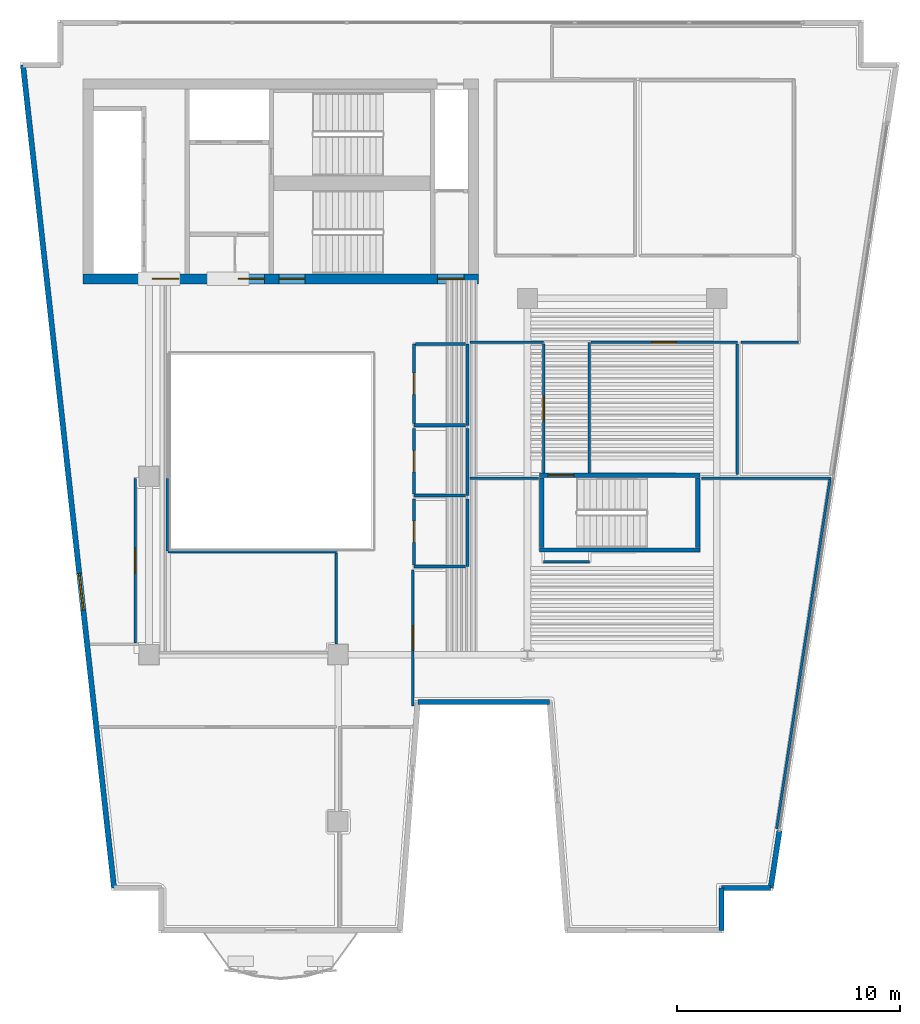
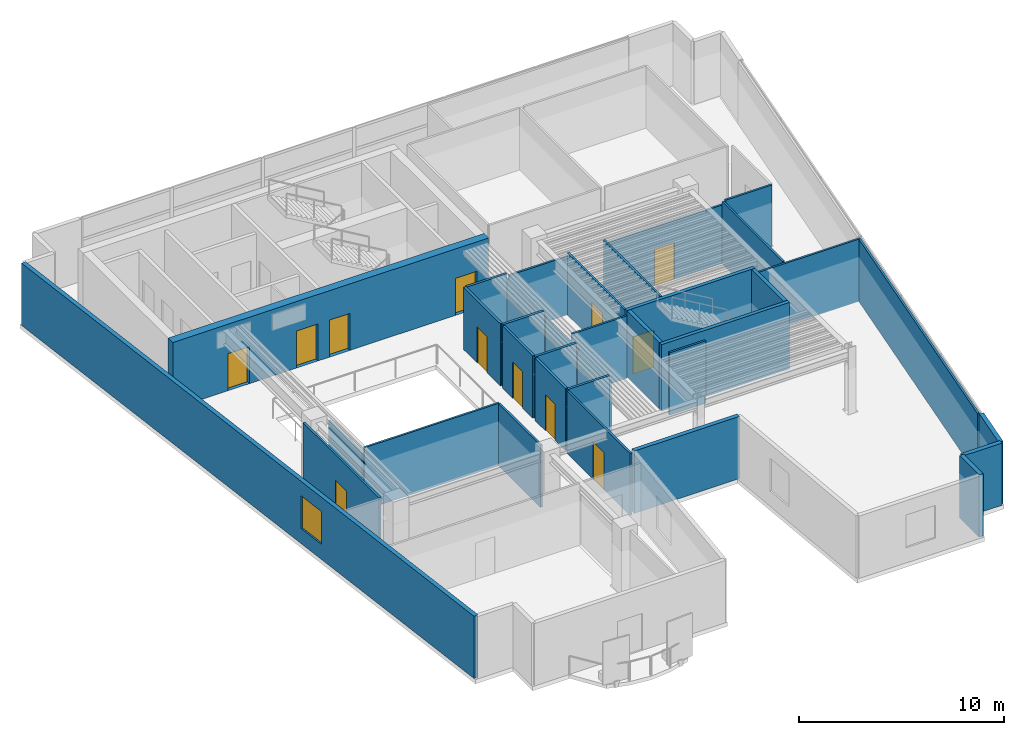
# One storey, part 4 of 8: 35 walls, 12 doors, 1 window, 13 openings.
"""IFC4 building model written with IfcOpenShell, lengths in metres."""

from ifc_helpers import new_model, si_unit, direction, frame, frame_2d, origin, place, context, subcontext, project, spatial, rectangle, extrude, material, layer, layer_set, type_object, element, fill, save


model = new_model("IFC4")

# Units and contexts
model_context = context("Model", 3, precision=1e-05, world=origin(), true_north=direction((0.0, 1.0)))
body_context = subcontext(model_context, "Body", "Model", "MODEL_VIEW")
ifc_project = project(units=[si_unit("LENGTHUNIT", "METRE"), si_unit("AREAUNIT", "SQUARE_METRE"), si_unit("VOLUMEUNIT", "CUBIC_METRE"), si_unit("PLANEANGLEUNIT", "RADIAN"), si_unit("MASSUNIT", "GRAM", prefix="KILO")], contexts=[model_context])

# Site, building, storey
site_placement = place(None, origin())
site = spatial("IfcSite", under=ifc_project, at=site_placement, CompositionType="ELEMENT")
building_placement = place(site_placement, origin())
building = spatial("IfcBuilding", under=site, at=building_placement, Name="Caeloran Harvest Quay", CompositionType="ELEMENT")
storey_placement = place(building_placement, frame((0.0, 0.0, 239.050048828125)))
storey = spatial("IfcBuildingStorey", under=building, at=storey_placement, Name="L57", CompositionType="ELEMENT", Elevation=239.050048828125)

# Wall, opening, window
ifc_material_1 = material(Name="Precast concrete C50/60", Category="concrete")
ifc_layer_1 = layer(ifc_material_1, 0.239990234375, Name="Precast concrete C50/60")
ifc_layer_set_1 = layer_set([ifc_layer_1], Name="Precast concrete C50/60")
wall_type_1 = type_object("IfcWallType", Name="ENV-WALL-EW-240", PredefinedType="STANDARD", material=ifc_layer_set_1)
wall_1_placement = place(storey_placement, frame((6.933349609375, 4.52001953125, 0.0), z_axis=(0.0, 0.0, 1.0), x_axis=(-0.109965284523, 0.993935428587, 0.0)))
wall_1 = element("IfcWall", 1, at=wall_1_placement, inside=storey, type_object=wall_type_1, Name="L57 Exterior Precast Concrete Facade Wall 3", PredefinedType="STANDARD", context=body_context, shape_type="SweptSolid", body=[
    extrude(rectangle(XDim=37.185546875, YDim=0.239990234375, at=frame_2d((18.5927734375, 0.0))), origin(), (0.0, 0.0, 1.0), 3.699951171875),
])
opening_1_placement = place(wall_1_placement, frame((12.56201171875, 0.0, 0.89990234375)))
opening_1 = element("IfcOpeningElement", 2, at=opening_1_placement, cuts=wall_1, Name="Opening W-08", PredefinedType="OPENING", context=body_context, shape_type="SweptSolid", body=[
    extrude(rectangle(XDim=1.64990234375, YDim=1.949951171875, at=frame_2d((0.824951171875, 0.97509765625))), frame((0.0, 0.1298828125, 0.0), z_axis=(0.0, -1.0, 0.0), x_axis=(1.0, 0.0, 0.0)), (0.0, 0.0, 1.0), 0.260009765625),
])
ifc_material_2 = material(Name="Aluminium-Framed Low-E Laminated Glass", Category="aluminium")
window_type = type_object("IfcWindowType", Name="WIN-W-08", PartitioningType="SINGLE_PANEL", PredefinedType="WINDOW", material=ifc_material_2)
window_placement = place(opening_1_placement, origin())
window = element("IfcWindow", 3, at=window_placement, inside=storey, type_object=window_type, Name="L57 Facade Punched Window W-08", OverallHeight=1.949951171875, OverallWidth=1.64990234375, PartitioningType="SINGLE_PANEL", PredefinedType="WINDOW", context=body_context, shape_type="SweptSolid", body=[
    extrude(rectangle(XDim=1.64990234375, YDim=1.949951171875, at=frame_2d((0.824951171875, 0.97509765625))), frame((0.0, 0.030029296875, 0.0), z_axis=(0.0, -1.0, 0.0), x_axis=(1.0, 0.0, 0.0)), (0.0, 0.0, 1.0), 0.06005859375),
])
fill(opening_1, window)

# Walls
wall_2_placement = place(storey_placement, frame((36.81591796875, 7.090087890625, 0.0), z_axis=(0.0, 0.0, 1.0), x_axis=(-0.151090396132, -0.988519950328, 0.0)))
element("IfcWall", 4, at=wall_2_placement, inside=storey, type_object=wall_type_1, Name="L57 Exterior Facade Corner Pier Wall 9B", PredefinedType="STANDARD", context=body_context, shape_type="SweptSolid", body=[
    extrude(rectangle(XDim=2.599853515625, YDim=0.239990234375, at=frame_2d((1.2998046875, 0.0))), origin(), (0.0, 0.0, 1.0), 3.699951171875),
])
wall_3_placement = place(storey_placement, frame((36.423095703125, 4.52001953125, 0.0), z_axis=(0.0, 0.0, 1.0), x_axis=(-1.0, 0.0, 0.0)))
element("IfcWall", 5, at=wall_3_placement, inside=storey, type_object=wall_type_1, Name="L57 Exterior Precast Concrete Facade Wall 10", PredefinedType="STANDARD", context=body_context, shape_type="SweptSolid", body=[
    extrude(rectangle(XDim=2.20703125, YDim=0.239990234375, at=frame_2d((1.103515625, 0.0))), origin(), (0.0, 0.0, 1.0), 3.699951171875),
])
wall_4_placement = place(storey_placement, frame((34.216064453125, 4.52001953125, 0.0), z_axis=(0.0, 0.0, 1.0), x_axis=(0.0, -1.0, 0.0)))
element("IfcWall", 6, at=wall_4_placement, inside=storey, type_object=wall_type_1, Name="L57 Exterior Precast Concrete Facade Wall 11", PredefinedType="STANDARD", context=body_context, shape_type="SweptSolid", body=[
    extrude(rectangle(XDim=1.89990234375, YDim=0.239990234375, at=frame_2d((0.949951171875, 0.0))), origin(), (0.0, 0.0, 1.0), 3.699951171875),
])
wall_5_placement = place(storey_placement, frame((26.4951171875, 12.8701171875, 0.0), z_axis=(0.0, 0.0, 1.0), x_axis=(-1.0, 0.0, 0.0)))
element("IfcWall", 7, at=wall_5_placement, inside=storey, type_object=wall_type_1, Name="L57 Exterior Precast Concrete Facade Wall 14", PredefinedType="STANDARD", context=body_context, shape_type="SweptSolid", body=[
    extrude(rectangle(XDim=5.922119140625, YDim=0.239990234375, at=frame_2d((2.9609375, 0.0))), origin(), (0.0, 0.0, 1.0), 3.699951171875),
])
ifc_material_3 = material(Name="Single-Stud Acoustic Gypsum Office Partition", Category="gypsum")
ifc_layer_2 = layer(ifc_material_3, 0.112060546875, Name="Single-Stud Acoustic Gypsum Office Partition")
ifc_layer_set_2 = layer_set([ifc_layer_2], Name="Single-Stud Acoustic Gypsum Office Partition")
wall_type_2 = type_object("IfcWallType", Name="INT-WALL-PW-112", PredefinedType="PARTITIONING", material=ifc_layer_set_2)
wall_6_placement = place(storey_placement, frame((33.310791015625, 22.919921875, 0.0), z_axis=(0.0, 0.0, 1.0), x_axis=(1.0, 0.0, 0.0)))
element("IfcWall", 8, at=wall_6_placement, inside=storey, type_object=wall_type_2, Name="Material Testing Laboratory Partition Wall", PredefinedType="PARTITIONING", context=body_context, shape_type="SweptSolid", body=[
    extrude(rectangle(XDim=5.8173828125, YDim=0.112060546875, at=frame_2d((2.90869140625, 0.0))), origin(), (0.0, 0.0, 1.0), 3.699951171875),
])
wall_7_placement = place(storey_placement, frame((39.083740234375, 22.85888671875, 0.0), z_axis=(0.0, 0.0, 1.0), x_axis=(-0.151051087355, -0.988525957681, 0.0)))
element("IfcWall", 9, at=wall_7_placement, inside=storey, type_object=wall_type_2, Name="Material Testing Laboratory Partition Wall", PredefinedType="PARTITIONING", context=body_context, shape_type="SweptSolid", body=[
    extrude(rectangle(XDim=15.865478515625, YDim=0.112060546875, at=frame_2d((7.9326171875, 0.0))), origin(), (0.0, 0.0, 1.0), 3.699951171875),
])

# Wall, opening, door
wall_8_placement = place(storey_placement, frame((20.35009765625, 12.688720703125, 0.0), z_axis=(0.0, 0.0, 1.0), x_axis=(0.0, 1.0, 0.0)))
wall_8 = element("IfcWall", 10, at=wall_8_placement, inside=storey, type_object=wall_type_2, Name="Material Testing Laboratory Partition Wall", PredefinedType="PARTITIONING", context=body_context, shape_type="SweptSolid", body=[
    extrude(rectangle(XDim=6.121337890625, YDim=0.112060546875, at=frame_2d((3.060546875, 0.0))), origin(), (0.0, 0.0, 1.0), 3.699951171875),
])
opening_2_placement = place(wall_8_placement, frame((2.5107421875, 0.0, 0.0)))
opening_2 = element("IfcOpeningElement", 11, at=opening_2_placement, cuts=wall_8, Name="Opening ID-04", PredefinedType="OPENING", context=body_context, shape_type="SweptSolid", body=[
    extrude(rectangle(XDim=1.10009765625, YDim=2.199951171875, at=frame_2d((0.550048828125, 1.10009765625))), frame((0.0, 0.06591796875, 0.0), z_axis=(0.0, -1.0, 0.0), x_axis=(1.0, 0.0, 0.0)), (0.0, 0.0, 1.0), 0.132080078125),
])
ifc_material_4 = material(Name="Acoustic Walnut Veneer Executive Door", Category="wood")
door_type_1 = type_object("IfcDoorType", Name="INTDOOR-ID-04", OperationType="NOTDEFINED", PredefinedType="DOOR", material=ifc_material_4)
door_1_placement = place(opening_2_placement, origin())
door_1 = element("IfcDoor", 12, at=door_1_placement, inside=storey, type_object=door_type_1, Name="Material Testing Laboratory Access Door", OperationType="SINGLE_SWING_RIGHT", OverallHeight=2.199951171875, OverallWidth=1.10009765625, PredefinedType="DOOR", context=body_context, shape_type="SweptSolid", body=[
    extrude(rectangle(XDim=1.10009765625, YDim=2.199951171875, at=frame_2d((0.550048828125, 1.10009765625))), frame((0.0, 0.02490234375, 0.0), z_axis=(0.0, -1.0, 0.0), x_axis=(1.0, 0.0, 0.0)), (0.0, 0.0, 1.0), 0.050048828125),
])
fill(opening_2, door_1)

# Walls
wall_9_placement = place(storey_placement, frame((22.909912109375, 22.919921875, 0.0), z_axis=(0.0, 0.0, 1.0), x_axis=(1.0, 0.0, 0.0)))
element("IfcWall", 13, at=wall_9_placement, inside=storey, type_object=wall_type_2, Name="Material Testing Laboratory Partition Wall", PredefinedType="PARTITIONING", context=body_context, shape_type="SweptSolid", body=[
    extrude(rectangle(XDim=3.0791015625, YDim=0.112060546875, at=frame_2d((1.53955078125, 0.0))), origin(), (0.0, 0.0, 1.0), 3.699951171875),
])
wall_10_placement = place(storey_placement, frame((26.22412109375, 19.169921875, 0.0), z_axis=(0.0, 0.0, 1.0), x_axis=(1.0, 0.0, 0.0)))
element("IfcWall", 14, at=wall_10_placement, inside=storey, type_object=wall_type_2, Name="Material Testing Laboratory Partition Wall", PredefinedType="PARTITIONING", context=body_context, shape_type="SweptSolid", body=[
    extrude(rectangle(XDim=2.055908203125, YDim=0.112060546875, at=frame_2d((1.02783203125, 0.0))), origin(), (0.0, 0.0, 1.0), 3.699951171875),
])
wall_11_placement = place(storey_placement, frame((9.35009765625, 19.6201171875, 0.0), z_axis=(0.0, 0.0, 1.0), x_axis=(1.0, 0.0, 0.0)))
element("IfcWall", 15, at=wall_11_placement, inside=storey, type_object=wall_type_2, Name="Principal Partner Office Partition Wall", PredefinedType="PARTITIONING", context=body_context, shape_type="SweptSolid", body=[
    extrude(rectangle(XDim=7.56982421875, YDim=0.112060546875, at=frame_2d((3.784912109375, 0.0))), origin(), (0.0, 0.0, 1.0), 3.699951171875),
])
wall_12_placement = place(storey_placement, frame((16.919921875, 19.55908203125, 0.0), z_axis=(0.0, 0.0, 1.0), x_axis=(0.0, -1.0, 0.0)))
element("IfcWall", 16, at=wall_12_placement, inside=storey, type_object=wall_type_2, Name="Principal Partner Office Partition Wall", PredefinedType="PARTITIONING", context=body_context, shape_type="SweptSolid", body=[
    extrude(rectangle(XDim=4.083984375, YDim=0.112060546875, at=frame_2d((2.0419921875, 0.0))), origin(), (0.0, 0.0, 1.0), 3.699951171875),
])

# Wall, opening, door
wall_13_placement = place(storey_placement, frame((7.8798828125, 15.52587890625, 0.0), z_axis=(0.0, 0.0, 1.0), x_axis=(0.0, 1.0, 0.0)))
wall_13 = element("IfcWall", 17, at=wall_13_placement, inside=storey, type_object=wall_type_2, Name="Principal Partner Office Partition Wall", PredefinedType="PARTITIONING", context=body_context, shape_type="SweptSolid", body=[
    extrude(rectangle(XDim=7.39404296875, YDim=0.112060546875, at=frame_2d((3.697021484375, 0.0))), origin(), (0.0, 0.0, 1.0), 3.699951171875),
])
opening_3_placement = place(wall_13_placement, frame((3.14697265625, 0.0, 0.0)))
opening_3 = element("IfcOpeningElement", 18, at=opening_3_placement, cuts=wall_13, Name="Opening ID-04", PredefinedType="OPENING", context=body_context, shape_type="SweptSolid", body=[
    extrude(rectangle(XDim=1.10009765625, YDim=2.199951171875, at=frame_2d((0.550048828125, 1.10009765625))), frame((0.0, 0.06591796875, 0.0), z_axis=(0.0, -1.0, 0.0), x_axis=(1.0, 0.0, 0.0)), (0.0, 0.0, 1.0), 0.132080078125),
])
door_2_placement = place(opening_3_placement, origin())
door_2 = element("IfcDoor", 19, at=door_2_placement, inside=storey, type_object=door_type_1, Name="Principal Partner Office Access Door", OperationType="SINGLE_SWING_LEFT", OverallHeight=2.199951171875, OverallWidth=1.10009765625, PredefinedType="DOOR", context=body_context, shape_type="SweptSolid", body=[
    extrude(rectangle(XDim=1.10009765625, YDim=2.199951171875, at=frame_2d((0.550048828125, 1.10009765625))), frame((0.0, 0.02490234375, 0.0), z_axis=(0.0, -1.0, 0.0), x_axis=(1.0, 0.0, 0.0)), (0.0, 0.0, 1.0), 0.050048828125),
])
fill(opening_3, door_2)

# Walls
wall_14_placement = place(storey_placement, frame((9.320068359375, 22.919921875, 0.0), z_axis=(0.0, 0.0, 1.0), x_axis=(0.0, -1.0, 0.0)))
element("IfcWall", 20, at=wall_14_placement, inside=storey, type_object=wall_type_2, Name="Principal Partner Office Partition Wall", PredefinedType="PARTITIONING", context=body_context, shape_type="SweptSolid", body=[
    extrude(rectangle(XDim=3.27001953125, YDim=0.112060546875, at=frame_2d((1.635009765625, 0.0))), origin(), (0.0, 0.0, 1.0), 3.324951171875),
])
wall_15_placement = place(storey_placement, frame((22.909912109375, 29.02001953125, 0.0), z_axis=(0.0, 0.0, 1.0), x_axis=(1.0, 0.0, 0.0)))
element("IfcWall", 21, at=wall_15_placement, inside=storey, type_object=wall_type_2, Name="Terrace View Conference Room Partition Wall", PredefinedType="PARTITIONING", context=body_context, shape_type="SweptSolid", body=[
    extrude(rectangle(XDim=3.31005859375, YDim=0.112060546875, at=frame_2d((1.655029296875, 0.0))), origin(), (0.0, 0.0, 1.0), 3.48486328125),
])

# Wall, opening, door
wall_16_placement = place(storey_placement, frame((26.219970703125, 28.958984375, 0.0), z_axis=(0.0, 0.0, 1.0), x_axis=(0.0, -1.0, 0.0)))
wall_16 = element("IfcWall", 22, at=wall_16_placement, inside=storey, type_object=wall_type_2, Name="Terrace View Conference Room Partition Wall", PredefinedType="PARTITIONING", context=body_context, shape_type="SweptSolid", body=[
    extrude(rectangle(XDim=5.803955078125, YDim=0.112060546875, at=frame_2d((2.90185546875, 0.0))), origin(), (0.0, 0.0, 1.0), 3.699951171875),
])
opening_4_placement = place(wall_16_placement, frame((2.35205078125, 0.0, 0.0)))
opening_4 = element("IfcOpeningElement", 23, at=opening_4_placement, cuts=wall_16, Name="Opening ID-04", PredefinedType="OPENING", context=body_context, shape_type="SweptSolid", body=[
    extrude(rectangle(XDim=1.10009765625, YDim=2.199951171875, at=frame_2d((0.550048828125, 1.10009765625))), frame((0.0, 0.06591796875, 0.0), z_axis=(0.0, -1.0, 0.0), x_axis=(1.0, 0.0, 0.0)), (0.0, 0.0, 1.0), 0.132080078125),
])
door_3_placement = place(opening_4_placement, origin())
door_3 = element("IfcDoor", 24, at=door_3_placement, inside=storey, type_object=door_type_1, Name="Terrace View Conference Room Access Door", OperationType="SINGLE_SWING_RIGHT", OverallHeight=2.199951171875, OverallWidth=1.10009765625, PredefinedType="DOOR", context=body_context, shape_type="SweptSolid", body=[
    extrude(rectangle(XDim=1.10009765625, YDim=2.199951171875, at=frame_2d((0.550048828125, 1.10009765625))), frame((0.0, 0.02490234375, 0.0), z_axis=(0.0, -1.0, 0.0), x_axis=(1.0, 0.0, 0.0)), (0.0, 0.0, 1.0), 0.050048828125),
])
fill(opening_4, door_3)

# Wall
wall_17_placement = place(storey_placement, frame((28.280029296875, 23.155029296875, 0.0), z_axis=(0.0, 0.0, 1.0), x_axis=(0.0, 1.0, 0.0)))
element("IfcWall", 25, at=wall_17_placement, inside=storey, type_object=wall_type_2, Name="Studio Pin-Up Lounge Partition Wall", PredefinedType="PARTITIONING", context=body_context, shape_type="SweptSolid", body=[
    extrude(rectangle(XDim=5.864990234375, YDim=0.112060546875, at=frame_2d((2.9326171875, 0.0))), origin(), (0.0, 0.0, 1.0), 3.699951171875),
])

# Wall, opening, door
wall_18_placement = place(storey_placement, frame((28.341064453125, 29.02001953125, 0.0), z_axis=(0.0, 0.0, 1.0), x_axis=(1.0, 0.0, 0.0)))
wall_18 = element("IfcWall", 26, at=wall_18_placement, inside=storey, type_object=wall_type_2, Name="Studio Pin-Up Lounge Partition Wall", PredefinedType="PARTITIONING", context=body_context, shape_type="SweptSolid", body=[
    extrude(rectangle(XDim=6.578857421875, YDim=0.112060546875, at=frame_2d((3.28955078125, 0.0))), origin(), (0.0, 0.0, 1.0), 3.48486328125),
])
opening_5_placement = place(wall_18_placement, frame((2.739501953125, 0.0, 0.0)))
opening_5 = element("IfcOpeningElement", 27, at=opening_5_placement, cuts=wall_18, Name="Opening ID-04", PredefinedType="OPENING", context=body_context, shape_type="SweptSolid", body=[
    extrude(rectangle(XDim=1.10009765625, YDim=2.199951171875, at=frame_2d((0.550048828125, 1.10009765625))), frame((0.0, 0.06591796875, 0.0), z_axis=(0.0, -1.0, 0.0), x_axis=(1.0, 0.0, 0.0)), (0.0, 0.0, 1.0), 0.132080078125),
])
door_4_placement = place(opening_5_placement, origin())
door_4 = element("IfcDoor", 28, at=door_4_placement, inside=storey, type_object=door_type_1, Name="Studio Pin-Up Lounge Access Door", OperationType="SINGLE_SWING_LEFT", OverallHeight=2.199951171875, OverallWidth=1.10009765625, PredefinedType="DOOR", context=body_context, shape_type="SweptSolid", body=[
    extrude(rectangle(XDim=1.10009765625, YDim=2.199951171875, at=frame_2d((0.550048828125, 1.10009765625))), frame((0.0, 0.02490234375, 0.0), z_axis=(0.0, -1.0, 0.0), x_axis=(1.0, 0.0, 0.0)), (0.0, 0.0, 1.0), 0.050048828125),
])
fill(opening_5, door_4)

# Walls
wall_19_placement = place(storey_placement, frame((34.919921875, 28.958984375, 0.0), z_axis=(0.0, 0.0, 1.0), x_axis=(0.0, -1.0, 0.0)))
element("IfcWall", 29, at=wall_19_placement, inside=storey, type_object=wall_type_2, Name="Studio Pin-Up Lounge Partition Wall", PredefinedType="PARTITIONING", context=body_context, shape_type="SweptSolid", body=[
    extrude(rectangle(XDim=5.87890625, YDim=0.112060546875, at=frame_2d((2.939453125, 0.0))), origin(), (0.0, 0.0, 1.0), 3.699951171875),
])
wall_20_placement = place(storey_placement, frame((35.080078125, 29.02001953125, 0.0), z_axis=(0.0, 0.0, 1.0), x_axis=(1.0, 0.0, 0.0)))
element("IfcWall", 30, at=wall_20_placement, inside=storey, type_object=wall_type_2, Name="Sawtooth Terrace Design Studio Office 7 Partition Wall", PredefinedType="PARTITIONING", context=body_context, shape_type="SweptSolid", body=[
    extrude(rectangle(XDim=2.599853515625, YDim=0.112060546875, at=frame_2d((1.2998046875, 0.0))), origin(), (0.0, 0.0, 1.0), 3.699951171875),
])
ifc_material_5 = material(Name="Moisture-Resistant Cement-Board Sanitary Partition", Category="gypsum")
ifc_layer_3 = layer(ifc_material_5, 0.139892578125, Name="Moisture-Resistant Cement-Board Sanitary Partition")
ifc_layer_set_3 = layer_set([ifc_layer_3], Name="Moisture-Resistant Cement-Board Sanitary Partition")
wall_type_3 = type_object("IfcWallType", Name="INT-WALL-PW-140", PredefinedType="PARTITIONING", material=ifc_layer_set_3)
wall_21_placement = place(storey_placement, frame((22.800048828125, 28.949951171875, 0.0), z_axis=(0.0, 0.0, 1.0), x_axis=(0.0, -1.0, 0.0)))
element("IfcWall", 31, at=wall_21_placement, inside=storey, type_object=wall_type_3, Name="L57 Male Washroom WC Partition Wall", PredefinedType="PARTITIONING", context=body_context, shape_type="SweptSolid", body=[
    extrude(rectangle(XDim=3.64990234375, YDim=0.139892578125, at=frame_2d((1.824951171875, 0.0))), origin(), (0.0, 0.0, 1.0), 3.324951171875),
])
wall_22_placement = place(storey_placement, frame((22.72509765625, 25.300048828125, 0.0), z_axis=(0.0, 0.0, 1.0), x_axis=(-1.0, 0.0, 0.0)))
element("IfcWall", 32, at=wall_22_placement, inside=storey, type_object=wall_type_3, Name="L57 Male Washroom WC Partition Wall", PredefinedType="PARTITIONING", context=body_context, shape_type="SweptSolid", body=[
    extrude(rectangle(XDim=2.3251953125, YDim=0.139892578125, at=frame_2d((1.16259765625, 0.0))), origin(), (0.0, 0.0, 1.0), 3.699951171875),
])

# Wall, opening, door
wall_23_placement = place(storey_placement, frame((20.39990234375, 25.375, 0.0), z_axis=(0.0, 0.0, 1.0), x_axis=(0.0, 1.0, 0.0)))
wall_23 = element("IfcWall", 33, at=wall_23_placement, inside=storey, type_object=wall_type_3, Name="L57 Male Washroom WC Partition Wall", PredefinedType="PARTITIONING", context=body_context, shape_type="SweptSolid", body=[
    extrude(rectangle(XDim=3.574951171875, YDim=0.139892578125, at=frame_2d((1.78759765625, 0.0))), origin(), (0.0, 0.0, 1.0), 3.699951171875),
])
opening_6_placement = place(wall_23_placement, frame((1.3125, 0.0, 0.0)))
opening_6 = element("IfcOpeningElement", 34, at=opening_6_placement, cuts=wall_23, Name="Opening WC-01", PredefinedType="OPENING", context=body_context, shape_type="SweptSolid", body=[
    extrude(rectangle(XDim=0.949951171875, YDim=2.14990234375, at=frame_2d((0.47509765625, 1.074951171875))), frame((0.0, 0.080078125, 0.0), z_axis=(0.0, -1.0, 0.0), x_axis=(1.0, 0.0, 0.0)), (0.0, 0.0, 1.0), 0.159912109375),
])
ifc_material_6 = material(Name="High-Pressure Laminate Moisture-Resistant Timber", Category="wood")
door_type_2 = type_object("IfcDoorType", Name="INTDOOR-WC-01", OperationType="NOTDEFINED", PredefinedType="DOOR", material=ifc_material_6)
door_5_placement = place(opening_6_placement, origin())
door_5 = element("IfcDoor", 35, at=door_5_placement, inside=storey, type_object=door_type_2, Name="L57 Male Washroom WC Access Door", OperationType="SINGLE_SWING_LEFT", OverallHeight=2.14990234375, OverallWidth=0.949951171875, PredefinedType="DOOR", context=body_context, shape_type="SweptSolid", body=[
    extrude(rectangle(XDim=0.949951171875, YDim=2.14990234375, at=frame_2d((0.47509765625, 1.074951171875))), frame((0.0, 0.02490234375, 0.0), z_axis=(0.0, -1.0, 0.0), x_axis=(1.0, 0.0, 0.0)), (0.0, 0.0, 1.0), 0.050048828125),
])
fill(opening_6, door_5)

# Walls
wall_24_placement = place(storey_placement, frame((20.47509765625, 28.949951171875, 0.0), z_axis=(0.0, 0.0, 1.0), x_axis=(1.0, 0.0, 0.0)))
element("IfcWall", 36, at=wall_24_placement, inside=storey, type_object=wall_type_3, Name="L57 Male Washroom WC Partition Wall", PredefinedType="PARTITIONING", context=body_context, shape_type="SweptSolid", body=[
    extrude(rectangle(XDim=2.25, YDim=0.139892578125, at=frame_2d((1.125, 0.0))), origin(), (0.0, 0.0, 1.0), 3.699951171875),
])
wall_25_placement = place(storey_placement, frame((22.800048828125, 25.14990234375, 0.0), z_axis=(0.0, 0.0, 1.0), x_axis=(0.0, -1.0, 0.0)))
element("IfcWall", 37, at=wall_25_placement, inside=storey, type_object=wall_type_3, Name="L57 Female Washroom WC Partition Wall", PredefinedType="PARTITIONING", context=body_context, shape_type="SweptSolid", body=[
    extrude(rectangle(XDim=3.0, YDim=0.139892578125, at=frame_2d((1.5, 0.0))), origin(), (0.0, 0.0, 1.0), 3.324951171875),
])
wall_26_placement = place(storey_placement, frame((22.72509765625, 22.14990234375, 0.0), z_axis=(0.0, 0.0, 1.0), x_axis=(-1.0, 0.0, 0.0)))
element("IfcWall", 38, at=wall_26_placement, inside=storey, type_object=wall_type_3, Name="L57 Female Washroom WC Partition Wall", PredefinedType="PARTITIONING", context=body_context, shape_type="SweptSolid", body=[
    extrude(rectangle(XDim=2.3251953125, YDim=0.139892578125, at=frame_2d((1.16259765625, 0.0))), origin(), (0.0, 0.0, 1.0), 3.699951171875),
])

# Wall, opening, door
wall_27_placement = place(storey_placement, frame((20.39990234375, 22.22509765625, 0.0), z_axis=(0.0, 0.0, 1.0), x_axis=(0.0, 1.0, 0.0)))
wall_27 = element("IfcWall", 39, at=wall_27_placement, inside=storey, type_object=wall_type_3, Name="L57 Female Washroom WC Partition Wall", PredefinedType="PARTITIONING", context=body_context, shape_type="SweptSolid", body=[
    extrude(rectangle(XDim=2.9248046875, YDim=0.139892578125, at=frame_2d((1.46240234375, 0.0))), origin(), (0.0, 0.0, 1.0), 3.699951171875),
])
opening_7_placement = place(wall_27_placement, frame((0.987548828125, 0.0, 0.0)))
opening_7 = element("IfcOpeningElement", 40, at=opening_7_placement, cuts=wall_27, Name="Opening WC-01", PredefinedType="OPENING", context=body_context, shape_type="SweptSolid", body=[
    extrude(rectangle(XDim=0.949951171875, YDim=2.14990234375, at=frame_2d((0.47509765625, 1.074951171875))), frame((0.0, 0.080078125, 0.0), z_axis=(0.0, -1.0, 0.0), x_axis=(1.0, 0.0, 0.0)), (0.0, 0.0, 1.0), 0.159912109375),
])
door_6_placement = place(opening_7_placement, origin())
door_6 = element("IfcDoor", 41, at=door_6_placement, inside=storey, type_object=door_type_2, Name="L57 Female Washroom WC Access Door", OperationType="SINGLE_SWING_RIGHT", OverallHeight=2.14990234375, OverallWidth=0.949951171875, PredefinedType="DOOR", context=body_context, shape_type="SweptSolid", body=[
    extrude(rectangle(XDim=0.949951171875, YDim=2.14990234375, at=frame_2d((0.47509765625, 1.074951171875))), frame((0.0, 0.02490234375, 0.0), z_axis=(0.0, -1.0, 0.0), x_axis=(1.0, 0.0, 0.0)), (0.0, 0.0, 1.0), 0.050048828125),
])
fill(opening_7, door_6)

# Walls
wall_28_placement = place(storey_placement, frame((22.800048828125, 22.0, 0.0), z_axis=(0.0, 0.0, 1.0), x_axis=(0.0, -1.0, 0.0)))
element("IfcWall", 42, at=wall_28_placement, inside=storey, type_object=wall_type_3, Name="L57 Accessible Unisex Washroom WC Partition Wall", PredefinedType="PARTITIONING", context=body_context, shape_type="SweptSolid", body=[
    extrude(rectangle(XDim=3.0400390625, YDim=0.139892578125, at=frame_2d((1.52001953125, 0.0))), origin(), (0.0, 0.0, 1.0), 3.324951171875),
])
wall_29_placement = place(storey_placement, frame((22.72509765625, 18.9599609375, 0.0), z_axis=(0.0, 0.0, 1.0), x_axis=(-1.0, 0.0, 0.0)))
element("IfcWall", 43, at=wall_29_placement, inside=storey, type_object=wall_type_3, Name="L57 Accessible Unisex Washroom WC Partition Wall", PredefinedType="PARTITIONING", context=body_context, shape_type="SweptSolid", body=[
    extrude(rectangle(XDim=2.3251953125, YDim=0.139892578125, at=frame_2d((1.16259765625, 0.0))), origin(), (0.0, 0.0, 1.0), 3.699951171875),
])

# Wall, opening, door
wall_30_placement = place(storey_placement, frame((20.39990234375, 19.034912109375, 0.0), z_axis=(0.0, 0.0, 1.0), x_axis=(0.0, 1.0, 0.0)))
wall_30 = element("IfcWall", 44, at=wall_30_placement, inside=storey, type_object=wall_type_3, Name="L57 Accessible Unisex Washroom WC Partition Wall", PredefinedType="PARTITIONING", context=body_context, shape_type="SweptSolid", body=[
    extrude(rectangle(XDim=2.965087890625, YDim=0.139892578125, at=frame_2d((1.482421875, 0.0))), origin(), (0.0, 0.0, 1.0), 3.699951171875),
])
opening_8_placement = place(wall_30_placement, frame((1.007568359375, 0.0, 0.0)))
opening_8 = element("IfcOpeningElement", 45, at=opening_8_placement, cuts=wall_30, Name="Opening WC-01", PredefinedType="OPENING", context=body_context, shape_type="SweptSolid", body=[
    extrude(rectangle(XDim=0.949951171875, YDim=2.14990234375, at=frame_2d((0.47509765625, 1.074951171875))), frame((0.0, 0.080078125, 0.0), z_axis=(0.0, -1.0, 0.0), x_axis=(1.0, 0.0, 0.0)), (0.0, 0.0, 1.0), 0.159912109375),
])
door_7_placement = place(opening_8_placement, origin())
door_7 = element("IfcDoor", 46, at=door_7_placement, inside=storey, type_object=door_type_2, Name="L57 Accessible Unisex Washroom WC Access Door", OperationType="SINGLE_SWING_LEFT", OverallHeight=2.14990234375, OverallWidth=0.949951171875, PredefinedType="DOOR", context=body_context, shape_type="SweptSolid", body=[
    extrude(rectangle(XDim=0.949951171875, YDim=2.14990234375, at=frame_2d((0.47509765625, 1.074951171875))), frame((0.0, 0.02490234375, 0.0), z_axis=(0.0, -1.0, 0.0), x_axis=(1.0, 0.0, 0.0)), (0.0, 0.0, 1.0), 0.050048828125),
])
fill(opening_8, door_7)

# Wall, openings, doors
ifc_material_7 = material(Name="Concrete C60/75", Category="concrete")
ifc_layer_4 = layer(ifc_material_7, 0.449951171875, Name="Concrete C60/75")
ifc_layer_set_4 = layer_set([ifc_layer_4], Name="Concrete C60/75")
wall_type_4 = type_object("IfcWallType", Name="STR-WALL-CW-450", PredefinedType="SHEAR", material=ifc_layer_set_4)
wall_31_placement = place(storey_placement, frame((5.550048828125, 31.875, 0.0), z_axis=(0.0, 0.0, 1.0), x_axis=(1.0, 0.0, 0.0)))
wall_31 = element("IfcWall", 47, at=wall_31_placement, inside=storey, type_object=wall_type_4, Name="L57 Rear Core Shear Wall S", PredefinedType="SHEAR", context=body_context, shape_type="SweptSolid", body=[
    extrude(rectangle(XDim=17.75, YDim=0.449951171875, at=frame_2d((8.875, 0.0))), origin(), (0.0, 0.0, 1.0), 3.949951171875),
])
opening_9_placement = place(wall_31_placement, frame((3.10009765625, 0.0, 0.0)))
opening_9 = element("IfcOpeningElement", 48, at=opening_9_placement, cuts=wall_31, Name="Opening FD-01", PredefinedType="OPENING", context=body_context, shape_type="SweptSolid", body=[
    extrude(rectangle(XDim=1.199951171875, YDim=2.199951171875, at=frame_2d((0.60009765625, 1.10009765625))), frame((0.0, 0.23486328125, 0.0), z_axis=(0.0, -1.0, 0.0), x_axis=(1.0, 0.0, 0.0)), (0.0, 0.0, 1.0), 0.469970703125),
])
opening_10_placement = place(wall_31_placement, frame((6.949951171875, 0.0, 0.0)))
opening_10 = element("IfcOpeningElement", 49, at=opening_10_placement, cuts=wall_31, Name="Opening FD-01", PredefinedType="OPENING", context=body_context, shape_type="SweptSolid", body=[
    extrude(rectangle(XDim=1.199951171875, YDim=2.199951171875, at=frame_2d((0.60009765625, 1.10009765625))), frame((0.0, 0.23486328125, 0.0), z_axis=(0.0, -1.0, 0.0), x_axis=(1.0, 0.0, 0.0)), (0.0, 0.0, 1.0), 0.469970703125),
])
opening_11_placement = place(wall_31_placement, frame((8.800048828125, 0.0, 0.0)))
opening_11 = element("IfcOpeningElement", 50, at=opening_11_placement, cuts=wall_31, Name="Opening SD-01", PredefinedType="OPENING", context=body_context, shape_type="SweptSolid", body=[
    extrude(rectangle(XDim=1.14990234375, YDim=2.199951171875, at=frame_2d((0.574951171875, 1.10009765625))), frame((0.0, 0.23486328125, 0.0), z_axis=(0.0, -1.0, 0.0), x_axis=(1.0, 0.0, 0.0)), (0.0, 0.0, 1.0), 0.469970703125),
])
opening_12_placement = place(wall_31_placement, frame((15.89990234375, 0.0, 0.0)))
opening_12 = element("IfcOpeningElement", 51, at=opening_12_placement, cuts=wall_31, Name="Opening FD-01", PredefinedType="OPENING", context=body_context, shape_type="SweptSolid", body=[
    extrude(rectangle(XDim=1.199951171875, YDim=2.199951171875, at=frame_2d((0.60009765625, 1.10009765625))), frame((0.0, 0.23486328125, 0.0), z_axis=(0.0, -1.0, 0.0), x_axis=(1.0, 0.0, 0.0)), (0.0, 0.0, 1.0), 0.469970703125),
])
ifc_material_8 = material(Name="Steel", Category="steel")
door_type_3 = type_object("IfcDoorType", Name="INTDOOR-FD-01", OperationType="NOTDEFINED", PredefinedType="DOOR", material=ifc_material_8)
door_8_placement = place(opening_9_placement, origin())
door_8 = element("IfcDoor", 52, at=door_8_placement, inside=storey, type_object=door_type_3, Name="L57 High-Rise Lift Lobby Fire Door", OperationType="SINGLE_SWING_LEFT", OverallHeight=2.199951171875, OverallWidth=1.199951171875, PredefinedType="DOOR", context=body_context, shape_type="SweptSolid", body=[
    extrude(rectangle(XDim=1.199951171875, YDim=2.199951171875, at=frame_2d((0.60009765625, 1.10009765625))), frame((0.0, 0.02490234375, 0.0), z_axis=(0.0, -1.0, 0.0), x_axis=(1.0, 0.0, 0.0)), (0.0, 0.0, 1.0), 0.050048828125),
])
fill(opening_9, door_8)
door_9_placement = place(opening_10_placement, origin())
door_9 = element("IfcDoor", 53, at=door_9_placement, inside=storey, type_object=door_type_3, Name="L57 Firefighting Lobby Vestibule Fire Door", OperationType="SINGLE_SWING_RIGHT", OverallHeight=2.199951171875, OverallWidth=1.199951171875, PredefinedType="DOOR", context=body_context, shape_type="SweptSolid", body=[
    extrude(rectangle(XDim=1.199951171875, YDim=2.199951171875, at=frame_2d((0.60009765625, 1.10009765625))), frame((0.0, 0.02490234375, 0.0), z_axis=(0.0, -1.0, 0.0), x_axis=(1.0, 0.0, 0.0)), (0.0, 0.0, 1.0), 0.050048828125),
])
fill(opening_10, door_9)
door_10_placement = place(opening_12_placement, origin())
door_10 = element("IfcDoor", 54, at=door_10_placement, inside=storey, type_object=door_type_3, Name="L57 Service Lift Lobby Fire Door", OperationType="SINGLE_SWING_RIGHT", OverallHeight=2.199951171875, OverallWidth=1.199951171875, PredefinedType="DOOR", context=body_context, shape_type="SweptSolid", body=[
    extrude(rectangle(XDim=1.199951171875, YDim=2.199951171875, at=frame_2d((0.60009765625, 1.10009765625))), frame((0.0, 0.02490234375, 0.0), z_axis=(0.0, -1.0, 0.0), x_axis=(1.0, 0.0, 0.0)), (0.0, 0.0, 1.0), 0.050048828125),
])
fill(opening_12, door_10)
door_type_4 = type_object("IfcDoorType", Name="INTDOOR-SD-01", OperationType="NOTDEFINED", PredefinedType="DOOR", material=ifc_material_8)
door_11_placement = place(opening_11_placement, origin())
door_11 = element("IfcDoor", 55, at=door_11_placement, inside=storey, type_object=door_type_4, Name="L57 Protected Stair ST-C2 Exit Door", OperationType="SINGLE_SWING_LEFT", OverallHeight=2.199951171875, OverallWidth=1.14990234375, PredefinedType="DOOR", context=body_context, shape_type="SweptSolid", body=[
    extrude(rectangle(XDim=1.14990234375, YDim=2.199951171875, at=frame_2d((0.574951171875, 1.10009765625))), frame((0.0, 0.02490234375, 0.0), z_axis=(0.0, -1.0, 0.0), x_axis=(1.0, 0.0, 0.0)), (0.0, 0.0, 1.0), 0.050048828125),
])
fill(opening_11, door_11)

# Wall
ifc_layer_5 = layer(ifc_material_7, 0.199951171875, Name="Concrete C60/75")
ifc_layer_set_5 = layer_set([ifc_layer_5], Name="Concrete C60/75")
wall_type_5 = type_object("IfcWallType", Name="STR-WALL-SW-200", PredefinedType="SHEAR", material=ifc_layer_set_5)
wall_32_placement = place(storey_placement, frame((26.050048828125, 19.699951171875, 0.0), z_axis=(0.0, 0.0, 1.0), x_axis=(1.0, 0.0, 0.0)))
element("IfcWall", 56, at=wall_32_placement, inside=storey, type_object=wall_type_5, Name="L57 Stair ST-W1 S RC Shaft Shear Wall", PredefinedType="SHEAR", context=body_context, shape_type="SweptSolid", body=[
    extrude(rectangle(XDim=7.199951171875, YDim=0.199951171875, at=frame_2d((3.60009765625, 0.0))), origin(), (0.0, 0.0, 1.0), 3.949951171875),
])

# Wall, opening, door
wall_33_placement = place(storey_placement, frame((26.050048828125, 23.050048828125, 0.0), z_axis=(0.0, 0.0, 1.0), x_axis=(1.0, 0.0, 0.0)))
wall_33 = element("IfcWall", 57, at=wall_33_placement, inside=storey, type_object=wall_type_5, Name="L57 Stair ST-W1 N RC Shaft Shear Wall", PredefinedType="SHEAR", context=body_context, shape_type="SweptSolid", body=[
    extrude(rectangle(XDim=7.199951171875, YDim=0.199951171875, at=frame_2d((3.60009765625, 0.0))), origin(), (0.0, 0.0, 1.0), 3.949951171875),
])
opening_13_placement = place(wall_33_placement, frame((0.3798828125, 0.0, 0.0)))
opening_13 = element("IfcOpeningElement", 58, at=opening_13_placement, cuts=wall_33, Name="Opening SD-01", PredefinedType="OPENING", context=body_context, shape_type="SweptSolid", body=[
    extrude(rectangle(XDim=1.14990234375, YDim=2.199951171875, at=frame_2d((0.574951171875, 1.10009765625))), frame((0.0, 0.10986328125, 0.0), z_axis=(0.0, -1.0, 0.0), x_axis=(1.0, 0.0, 0.0)), (0.0, 0.0, 1.0), 0.219970703125),
])
door_12_placement = place(opening_13_placement, origin())
door_12 = element("IfcDoor", 59, at=door_12_placement, inside=storey, type_object=door_type_4, Name="L57 Protected Exit Stair ST-W1 Fire Door", OperationType="SINGLE_SWING_RIGHT", OverallHeight=2.199951171875, OverallWidth=1.14990234375, PredefinedType="DOOR", context=body_context, shape_type="SweptSolid", body=[
    extrude(rectangle(XDim=1.14990234375, YDim=2.199951171875, at=frame_2d((0.574951171875, 1.10009765625))), frame((0.0, 0.02490234375, 0.0), z_axis=(0.0, -1.0, 0.0), x_axis=(1.0, 0.0, 0.0)), (0.0, 0.0, 1.0), 0.050048828125),
])
fill(opening_13, door_12)

# Walls
for number, where, z_axis, x_axis, name in (
    (60, (26.14990234375, 19.81005859375, 0.0), (0.0, 0.0, 1.0), (0.0, 1.0, 0.0), "L57 Stair ST-W1 W RC Shaft Shear Wall"),
    (61, (33.14990234375, 19.81005859375, 0.0), (0.0, 0.0, 1.0), (0.0, 1.0, 0.0), "L57 Stair ST-W1 E RC Shaft Shear Wall"),
):
    element("IfcWall", number, at=place(storey_placement, frame(where, z_axis=z_axis, x_axis=x_axis)), inside=storey, type_object=wall_type_5, Name=name, PredefinedType="SHEAR", context=body_context, shape_type="SweptSolid", body=[
        extrude(rectangle(XDim=3.1298828125, YDim=0.199951171875, at=frame_2d((1.56494140625, 0.0))), origin(), (0.0, 0.0, 1.0), 3.949951171875),
    ])

save(model, "model.ifc")
